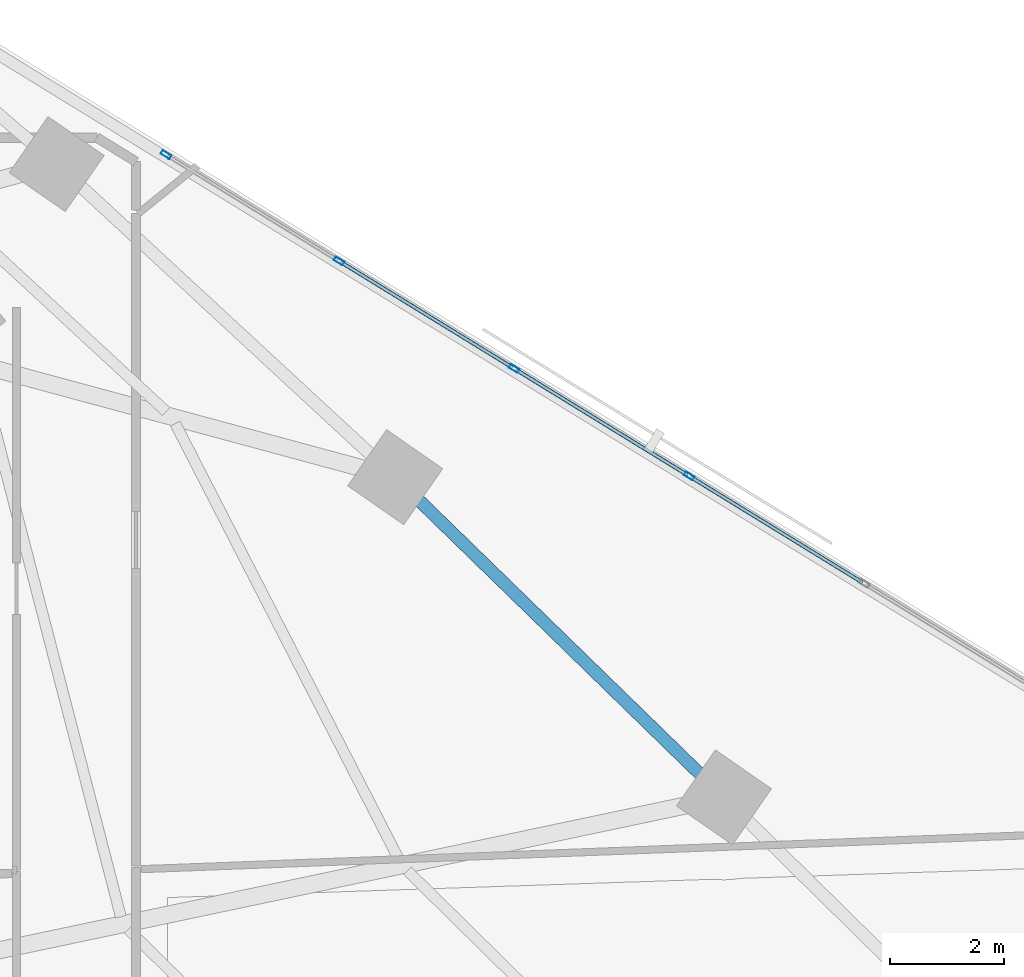
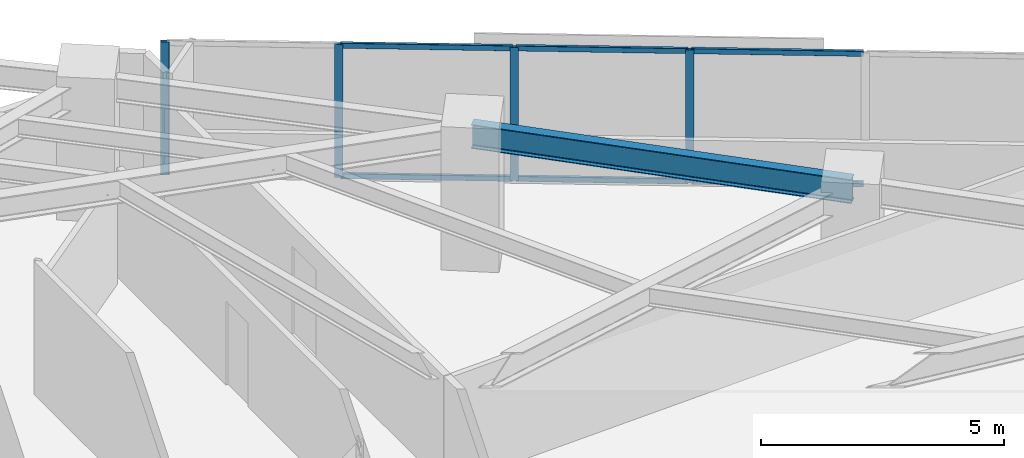
# One storey, part 6 of 19: 10 members, 1 beam, 1 element without a shape of its own.
"""IFC4 building model written with IfcOpenShell, lengths in metres."""

from ifc_helpers import new_model, si_unit, direction, frame, origin, origin_2d, place, context, subcontext, project, spatial, hollow_rectangle, i_section, extrude, material, material_profile, profile_set, type_object, element, aggregate, save


model = new_model("IFC4")

# Units and contexts
model_context = context("Model", 3, precision=1e-05, world=origin(), true_north=direction((0.0, 1.0)))
body_context = subcontext(model_context, "Body", "Model", "MODEL_VIEW")
ifc_project = project(units=[si_unit("LENGTHUNIT", "METRE"), si_unit("AREAUNIT", "SQUARE_METRE"), si_unit("VOLUMEUNIT", "CUBIC_METRE"), si_unit("PLANEANGLEUNIT", "RADIAN"), si_unit("MASSUNIT", "GRAM", prefix="KILO")], contexts=[model_context])

# Site, building, storey
site_placement = place(None, origin())
site = spatial("IfcSite", under=ifc_project, at=site_placement, CompositionType="ELEMENT")
building_placement = place(site_placement, origin())
building = spatial("IfcBuilding", under=site, at=building_placement, Name="Narakoshi Arena Tower", CompositionType="ELEMENT")
storey_placement = place(building_placement, frame((0.0, 0.0, 113.699951171875)))
storey = spatial("IfcBuildingStorey", under=building, at=storey_placement, Name="L30", CompositionType="ELEMENT", Elevation=113.699951171875)

# Beam
ifc_material_1 = material(Name="Structural steel S355J2", Category="steel")
ifc_material_profile_1 = material_profile(ifc_material_1, i_section(OverallWidth=0.219970703125, OverallDepth=0.60009765625, WebThickness=0.011962890625, FlangeThickness=0.01904296875, FilletRadius=0.02392578125, at=origin_2d()), Name="IPE600")
ifc_profile_set_1 = profile_set([ifc_material_profile_1], Name="Structural steel S355J2")
beam_type = type_object("IfcBeamType", Name="BM-EDGE-600", PredefinedType="BEAM", material=ifc_profile_set_1)
beam_placement = place(storey_placement, frame((104.42041015625, 47.33056640625, 3.0400390625), z_axis=(-0.71641187053, 0.697677598726, 0.0), x_axis=(-0.697677598726, -0.71641187053, 0.0)))
element("IfcBeam", 1, at=beam_placement, inside=storey, type_object=beam_type, Name="L30 Perimeter Edge Girder 05", PredefinedType="BEAM", context=body_context, shape_type="SweptSolid", body=[
    extrude(i_section(OverallWidth=0.219970703125, OverallDepth=0.60009765625, WebThickness=0.011962890625, FlangeThickness=0.01904296875, FilletRadius=0.02392578125, at=origin_2d()), origin(), (0.0, 0.0, 1.0), 8.066650390625),
])

# Curtain wall, members
ifc_material_2 = material(Name="Anodised bronze aluminium 6063-T6", Category="aluminium")
curtain_wall_type = type_object("IfcCurtainWallType", Name="CW-HYP-LOW", PredefinedType="NOTDEFINED", material=ifc_material_2)
curtain_wall_placement = place(storey_placement, origin())
curtain_wall = element("IfcCurtainWall", 2, at=curtain_wall_placement, inside=storey, type_object=curtain_wall_type, Name="L30 Folded Hypotenuse Curtain Wall 1-1", PredefinedType="NOTDEFINED")
ifc_material_profile_2 = material_profile(ifc_material_2, hollow_rectangle(XDim=0.074951171875, YDim=0.179931640625, WallThickness=0.00390625, OuterFilletRadius=0.0048828125, at=origin_2d()), Name="MUL180x75x4")
ifc_profile_set_2 = profile_set([ifc_material_profile_2], Name="Anodised bronze aluminium 6063-T6")
member_type_1 = type_object("IfcMemberType", Name="MEM-MUL-180", PredefinedType="MULLION", material=ifc_profile_set_2)
member_1_placement = place(storey_placement, frame((103.81005859375, 52.97802734375, 0.0), z_axis=(0.0, 0.0, 1.0), x_axis=(-0.523357676535, -0.852113104237, 0.0)))
member_1 = element("IfcMember", 3, at=member_1_placement, type_object=member_type_1, Name="CW-01 mullion 6", PredefinedType="MULLION", context=body_context, shape_type="SweptSolid", body=[
    extrude(hollow_rectangle(XDim=0.074951171875, YDim=0.179931640625, WallThickness=0.00390625, OuterFilletRadius=0.0048828125, at=origin_2d()), origin(), (0.0, 0.0, 1.0), 3.340087890625),
])
member_2_placement = place(storey_placement, frame((100.733154296875, 54.86767578125, 0.0), z_axis=(0.0, 0.0, 1.0), x_axis=(-0.523357676535, -0.852113104237, 0.0)))
member_2 = element("IfcMember", 4, at=member_2_placement, type_object=member_type_1, Name="CW-01 mullion 7", PredefinedType="MULLION", context=body_context, shape_type="SweptSolid", body=[
    extrude(hollow_rectangle(XDim=0.074951171875, YDim=0.179931640625, WallThickness=0.00390625, OuterFilletRadius=0.0048828125, at=origin_2d()), origin(), (0.0, 0.0, 1.0), 3.340087890625),
])
member_3_placement = place(storey_placement, frame((97.65625, 56.757568359375, 0.0), z_axis=(0.0, 0.0, 1.0), x_axis=(-0.523357676535, -0.852113104237, 0.0)))
member_3 = element("IfcMember", 5, at=member_3_placement, type_object=member_type_1, Name="CW-01 mullion 8", PredefinedType="MULLION", context=body_context, shape_type="SweptSolid", body=[
    extrude(hollow_rectangle(XDim=0.074951171875, YDim=0.179931640625, WallThickness=0.00390625, OuterFilletRadius=0.0048828125, at=origin_2d()), origin(), (0.0, 0.0, 1.0), 3.340087890625),
])
member_4_placement = place(storey_placement, frame((94.611328125, 58.627685546875, 0.0), z_axis=(0.0, 0.0, 1.0), x_axis=(-0.523357676535, -0.852113104237, 0.0)))
member_4 = element("IfcMember", 6, at=member_4_placement, type_object=member_type_1, Name="CW-01 mullion 9", PredefinedType="MULLION", context=body_context, shape_type="SweptSolid", body=[
    extrude(hollow_rectangle(XDim=0.074951171875, YDim=0.179931640625, WallThickness=0.00390625, OuterFilletRadius=0.0048828125, at=origin_2d()), origin(), (0.0, 0.0, 1.0), 3.340087890625),
])
ifc_material_profile_3 = material_profile(ifc_material_2, hollow_rectangle(XDim=0.06494140625, YDim=0.1298828125, WallThickness=0.00390625, OuterFilletRadius=0.0048828125, at=origin_2d()), Name="TRN130x65x4")
ifc_profile_set_3 = profile_set([ifc_material_profile_3], Name="Anodised bronze aluminium 6063-T6")
member_type_2 = type_object("IfcMemberType", Name="MEM-TRN-130", PredefinedType="USERDEFINED", material=ifc_profile_set_3)
member_5_placement = place(storey_placement, frame((106.85498046875, 51.107666015625, 0.032470703125), z_axis=(-0.852103699909, 0.523372988032, 0.0), x_axis=(-0.523372988032, -0.852103699909, 0.0)))
member_5 = element("IfcMember", 7, at=member_5_placement, type_object=member_type_2, Name="CW-01 transom 5.1", ObjectType="TRANSOM", PredefinedType="USERDEFINED", context=body_context, shape_type="SweptSolid", body=[
    extrude(hollow_rectangle(XDim=0.06494140625, YDim=0.1298828125, WallThickness=0.00390625, OuterFilletRadius=0.0048828125, at=origin_2d()), origin(), (0.0, 0.0, 1.0), 3.535888671875),
])
member_6_placement = place(storey_placement, frame((106.85498046875, 51.107666015625, 3.3076171875), z_axis=(-0.852103699909, 0.523372988032, 0.0), x_axis=(-0.523372988032, -0.852103699909, 0.0)))
member_6 = element("IfcMember", 8, at=member_6_placement, type_object=member_type_2, Name="CW-01 transom 5.2", ObjectType="TRANSOM", PredefinedType="USERDEFINED", context=body_context, shape_type="SweptSolid", body=[
    extrude(hollow_rectangle(XDim=0.06494140625, YDim=0.1298828125, WallThickness=0.00390625, OuterFilletRadius=0.0048828125, at=origin_2d()), origin(), (0.0, 0.0, 1.0), 3.535888671875),
])
member_7_placement = place(storey_placement, frame((103.778076171875, 52.99755859375, 0.032470703125), z_axis=(-0.852103699909, 0.523372988032, 0.0), x_axis=(-0.523372988032, -0.852103699909, 0.0)))
member_7 = element("IfcMember", 9, at=member_7_placement, type_object=member_type_2, Name="CW-01 transom 6.1", ObjectType="TRANSOM", PredefinedType="USERDEFINED", context=body_context, shape_type="SweptSolid", body=[
    extrude(hollow_rectangle(XDim=0.06494140625, YDim=0.1298828125, WallThickness=0.00390625, OuterFilletRadius=0.0048828125, at=origin_2d()), origin(), (0.0, 0.0, 1.0), 3.535888671875),
])
member_8_placement = place(storey_placement, frame((103.778076171875, 52.99755859375, 3.3076171875), z_axis=(-0.852103699909, 0.523372988032, 0.0), x_axis=(-0.523372988032, -0.852103699909, 0.0)))
member_8 = element("IfcMember", 10, at=member_8_placement, type_object=member_type_2, Name="CW-01 transom 6.2", ObjectType="TRANSOM", PredefinedType="USERDEFINED", context=body_context, shape_type="SweptSolid", body=[
    extrude(hollow_rectangle(XDim=0.06494140625, YDim=0.1298828125, WallThickness=0.00390625, OuterFilletRadius=0.0048828125, at=origin_2d()), origin(), (0.0, 0.0, 1.0), 3.535888671875),
])
member_9_placement = place(storey_placement, frame((100.701171875, 54.887451171875, 0.032470703125), z_axis=(-0.852134492111, 0.523322851933, 0.0), x_axis=(-0.523322851933, -0.852134492111, 0.0)))
member_9 = element("IfcMember", 11, at=member_9_placement, type_object=member_type_2, Name="CW-01 transom 7.1", ObjectType="TRANSOM", PredefinedType="USERDEFINED", context=body_context, shape_type="SweptSolid", body=[
    extrude(hollow_rectangle(XDim=0.06494140625, YDim=0.1298828125, WallThickness=0.00390625, OuterFilletRadius=0.0048828125, at=origin_2d()), origin(), (0.0, 0.0, 1.0), 3.53564453125),
])
member_10_placement = place(storey_placement, frame((100.701171875, 54.887451171875, 3.3076171875), z_axis=(-0.852134492111, 0.523322851933, 0.0), x_axis=(-0.523322851933, -0.852134492111, 0.0)))
member_10 = element("IfcMember", 12, at=member_10_placement, type_object=member_type_2, Name="CW-01 transom 7.2", ObjectType="TRANSOM", PredefinedType="USERDEFINED", context=body_context, shape_type="SweptSolid", body=[
    extrude(hollow_rectangle(XDim=0.06494140625, YDim=0.1298828125, WallThickness=0.00390625, OuterFilletRadius=0.0048828125, at=origin_2d()), origin(), (0.0, 0.0, 1.0), 3.53564453125),
])
aggregate(curtain_wall, [member_1, member_2, member_3, member_4, member_5, member_6, member_7, member_8, member_9, member_10])

save(model, "model.ifc")
